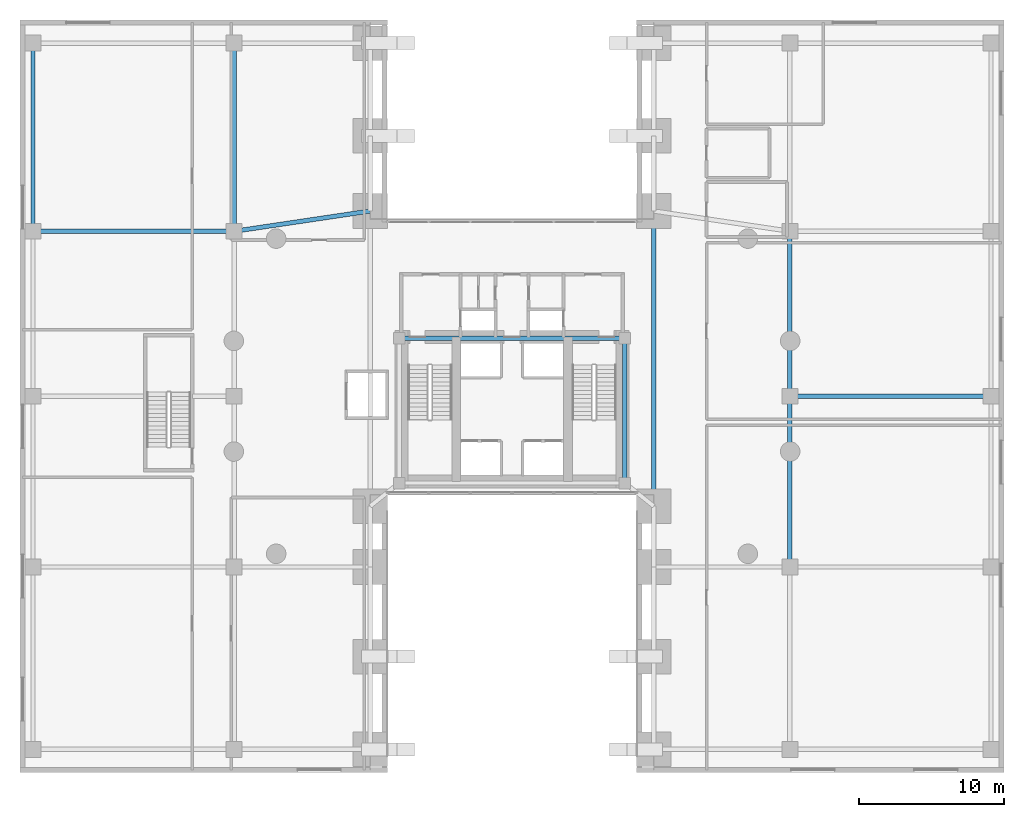
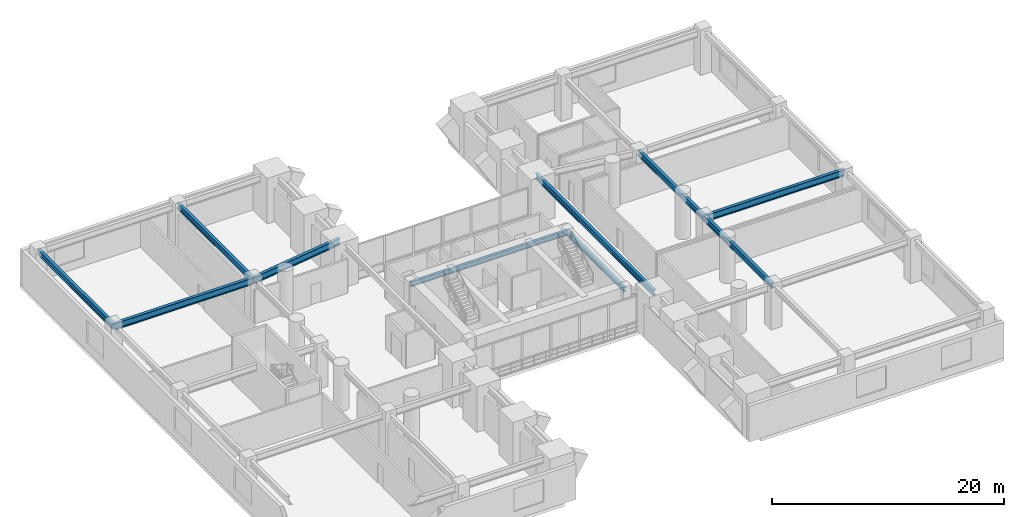
# One storey, part 5 of 14: 10 beams.
"""IFC4 building model written with IfcOpenShell, lengths in metres."""

from ifc_helpers import new_model, si_unit, direction, frame, origin, origin_2d, place, context, subcontext, project, spatial, i_section, extrude, material, material_profile, profile_set, type_object, element, save


model = new_model("IFC4")

# Units and contexts
model_context = context("Model", 3, precision=1e-05, world=origin(), true_north=direction((0.0, 1.0)))
body_context = subcontext(model_context, "Body", "Model", "MODEL_VIEW")
ifc_project = project(units=[si_unit("LENGTHUNIT", "METRE"), si_unit("AREAUNIT", "SQUARE_METRE"), si_unit("VOLUMEUNIT", "CUBIC_METRE"), si_unit("PLANEANGLEUNIT", "RADIAN"), si_unit("MASSUNIT", "GRAM", prefix="KILO"), si_unit("THERMODYNAMICTEMPERATUREUNIT", "KELVIN"), si_unit("POWERUNIT", "WATT")], contexts=[model_context])

# Site, building, storey
site_placement = place(None, origin())
site = spatial("IfcSite", under=ifc_project, at=site_placement, CompositionType="ELEMENT")
building_placement = place(site_placement, origin())
building = spatial("IfcBuilding", under=site, at=building_placement, Name="Ocrelia Relay Tower", CompositionType="ELEMENT")
storey_placement = place(building_placement, frame((0.0, 0.0, 5.39990234375)))
storey = spatial("IfcBuildingStorey", under=building, at=storey_placement, Name="L01", CompositionType="ELEMENT", Elevation=5.39990234375)

# Beams
ifc_material = material(Name="Steel S355", Category="steel")
ifc_material_profile_1 = material_profile(ifc_material, i_section(OverallWidth=0.300048828125, OverallDepth=0.5, WebThickness=0.014404296875, FlangeThickness=0.028076171875, FilletRadius=0.027099609375, at=origin_2d()), Name="HEB 500")
ifc_profile_set_1 = profile_set([ifc_material_profile_1], Name="Steel S355")
beam_type_1 = type_object("IfcBeamType", Name="BM-HEB500", PredefinedType="BEAM", material=ifc_profile_set_1)
beam_1_placement = place(storey_placement, frame((26.199951171875, 30.0, 4.22998046875), z_axis=(1.0, 0.0, 0.0), x_axis=(0.0, 1.0, 0.0)))
element("IfcBeam", 1, at=beam_1_placement, inside=storey, type_object=beam_type_1, Name="L01 Core Pilaster Tie Beam N", PredefinedType="BEAM", context=body_context, shape_type="SweptSolid", body=[
    extrude(i_section(OverallWidth=0.300048828125, OverallDepth=0.5, WebThickness=0.014404296875, FlangeThickness=0.028076171875, FilletRadius=0.027099609375, at=origin_2d()), origin(), (0.0, 0.0, 1.0), 15.60009765625),
])
beam_2_placement = place(storey_placement, frame((41.800048828125, 20.0, 4.22998046875), z_axis=(0.0, 1.0, 0.0), x_axis=(-1.0, 0.0, 0.0)))
element("IfcBeam", 2, at=beam_2_placement, inside=storey, type_object=beam_type_1, Name="L01 Core Pilaster Tie Beam E", PredefinedType="BEAM", context=body_context, shape_type="SweptSolid", body=[
    extrude(i_section(OverallWidth=0.300048828125, OverallDepth=0.5, WebThickness=0.014404296875, FlangeThickness=0.028076171875, FilletRadius=0.027099609375, at=origin_2d()), origin(), (0.0, 0.0, 1.0), 10.0),
])
ifc_material_profile_2 = material_profile(ifc_material, i_section(OverallWidth=0.300048828125, OverallDepth=0.60009765625, WebThickness=0.015380859375, FlangeThickness=0.030029296875, FilletRadius=0.027099609375, at=origin_2d()), Name="HEB 600")
ifc_profile_set_2 = profile_set([ifc_material_profile_2], Name="Steel S355")
beam_type_2 = type_object("IfcBeamType", Name="BM-HEB600", PredefinedType="BEAM", material=ifc_profile_set_2)
for number, where, z_axis, x_axis, name in (
    (3, (0.89990234375, 37.39990234375, 4.18017578125), (0.0, 1.0, 0.0), (-1.0, 0.0, 0.0), "L01 Podium Span Girder W-4"),
    (4, (14.800048828125, 37.39990234375, 4.18017578125), (0.0, 1.0, 0.0), (-1.0, 0.0, 0.0), "L01 Podium Span Girder IW-4"),
):
    element("IfcBeam", number, at=place(storey_placement, frame(where, z_axis=z_axis, x_axis=x_axis)), inside=storey, type_object=beam_type_2, Name=name, PredefinedType="BEAM", context=body_context, shape_type="SweptSolid", body=[
        extrude(i_section(OverallWidth=0.300048828125, OverallDepth=0.60009765625, WebThickness=0.015380859375, FlangeThickness=0.030029296875, FilletRadius=0.027099609375, at=origin_2d()), origin(), (0.0, 0.0, 1.0), 13.0),
    ])
beam_3_placement = place(storey_placement, frame((53.199951171875, 14.199951171875, 4.18017578125), z_axis=(0.0, 1.0, 0.0), x_axis=(-1.0, 0.0, 0.0)))
element("IfcBeam", 5, at=beam_3_placement, inside=storey, type_object=beam_type_2, Name="L01 Podium Span Girder IE-2", PredefinedType="BEAM", context=body_context, shape_type="SweptSolid", body=[
    extrude(i_section(OverallWidth=0.300048828125, OverallDepth=0.60009765625, WebThickness=0.015380859375, FlangeThickness=0.030029296875, FilletRadius=0.027099609375, at=origin_2d()), origin(), (0.0, 0.0, 1.0), 11.800048828125),
])
beam_4_placement = place(storey_placement, frame((53.199951171875, 26.0, 4.18017578125), z_axis=(0.0, 1.0, 0.0), x_axis=(-1.0, 0.0, 0.0)))
element("IfcBeam", 6, at=beam_4_placement, inside=storey, type_object=beam_type_2, Name="L01 Podium Span Girder IE-3", PredefinedType="BEAM", context=body_context, shape_type="SweptSolid", body=[
    extrude(i_section(OverallWidth=0.300048828125, OverallDepth=0.60009765625, WebThickness=0.015380859375, FlangeThickness=0.030029296875, FilletRadius=0.027099609375, at=origin_2d()), origin(), (0.0, 0.0, 1.0), 11.39990234375),
])
beam_5_placement = place(storey_placement, frame((43.800048828125, 18.39990234375, 4.18017578125), z_axis=(0.0, 1.0, 0.0), x_axis=(-1.0, 0.0, 0.0)))
element("IfcBeam", 7, at=beam_5_placement, inside=storey, type_object=beam_type_2, Name="L01 Pier Line Tie Girder AE-6", PredefinedType="BEAM", context=body_context, shape_type="SweptSolid", body=[
    extrude(i_section(OverallWidth=0.300048828125, OverallDepth=0.60009765625, WebThickness=0.015380859375, FlangeThickness=0.030029296875, FilletRadius=0.027099609375, at=origin_2d()), origin(), (0.0, 0.0, 1.0), 20.400146484375),
])
ifc_material_profile_3 = material_profile(ifc_material, i_section(OverallWidth=0.300048828125, OverallDepth=0.699951171875, WebThickness=0.01708984375, FlangeThickness=0.031982421875, FilletRadius=0.027099609375, at=origin_2d()), Name="HEB 700")
ifc_profile_set_3 = profile_set([ifc_material_profile_3], Name="Steel S355")
beam_type_3 = type_object("IfcBeamType", Name="BM-HEB700", PredefinedType="BEAM", material=ifc_profile_set_3)
beam_6_placement = place(storey_placement, frame((0.89990234375, 37.39990234375, 4.130126953125), z_axis=(1.0, 0.0, 0.0), x_axis=(0.0, 1.0, 0.0)))
element("IfcBeam", 8, at=beam_6_placement, inside=storey, type_object=beam_type_3, Name="L01 West Outer Podium Girder M2", PredefinedType="BEAM", context=body_context, shape_type="SweptSolid", body=[
    extrude(i_section(OverallWidth=0.300048828125, OverallDepth=0.699951171875, WebThickness=0.01708984375, FlangeThickness=0.031982421875, FilletRadius=0.027099609375, at=origin_2d()), origin(), (0.0, 0.0, 1.0), 13.900146484375),
])
beam_7_placement = place(storey_placement, frame((14.800048828125, 37.39990234375, 4.130126953125), z_axis=(0.989087708935, 0.14732787935, 0.0), x_axis=(-0.14732787935, 0.989087708935, 0.0)))
element("IfcBeam", 9, at=beam_7_placement, inside=storey, type_object=beam_type_3, Name="L01 West Inner Podium Girder M2", PredefinedType="BEAM", context=body_context, shape_type="SweptSolid", body=[
    extrude(i_section(OverallWidth=0.300048828125, OverallDepth=0.699951171875, WebThickness=0.01708984375, FlangeThickness=0.031982421875, FilletRadius=0.027099609375, at=origin_2d()), origin(), (0.0, 0.0, 1.0), 9.503662109375),
])
beam_8_placement = place(storey_placement, frame((53.199951171875, 26.0, 4.130126953125), z_axis=(1.0, 0.0, 0.0), x_axis=(0.0, 1.0, 0.0)))
element("IfcBeam", 10, at=beam_8_placement, inside=storey, type_object=beam_type_3, Name="L01 East Mid Podium Girder", PredefinedType="BEAM", context=body_context, shape_type="SweptSolid", body=[
    extrude(i_section(OverallWidth=0.300048828125, OverallDepth=0.699951171875, WebThickness=0.01708984375, FlangeThickness=0.031982421875, FilletRadius=0.027099609375, at=origin_2d()), origin(), (0.0, 0.0, 1.0), 13.900146484375),
])

save(model, "model.ifc")
